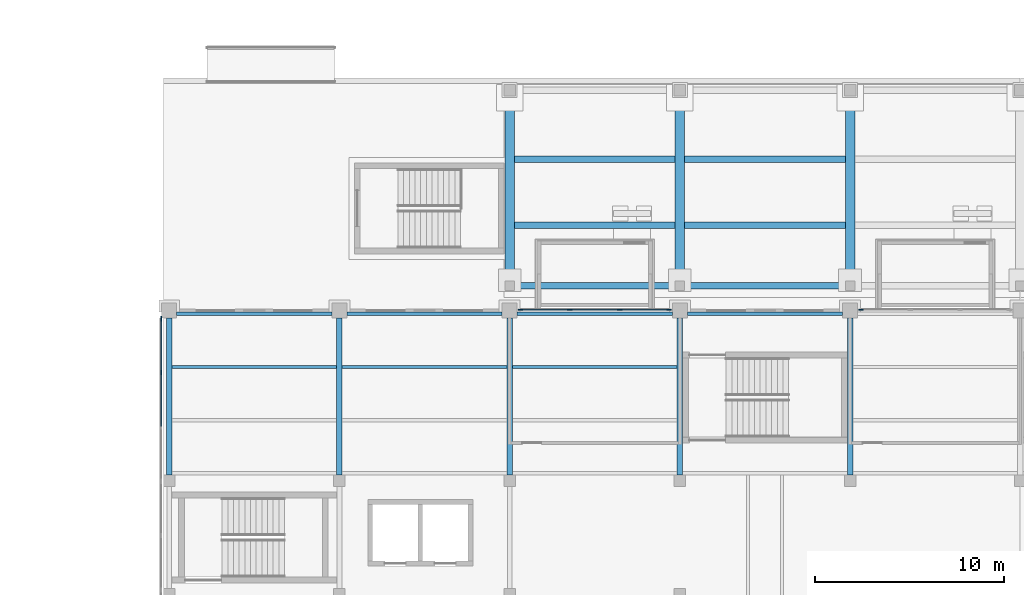
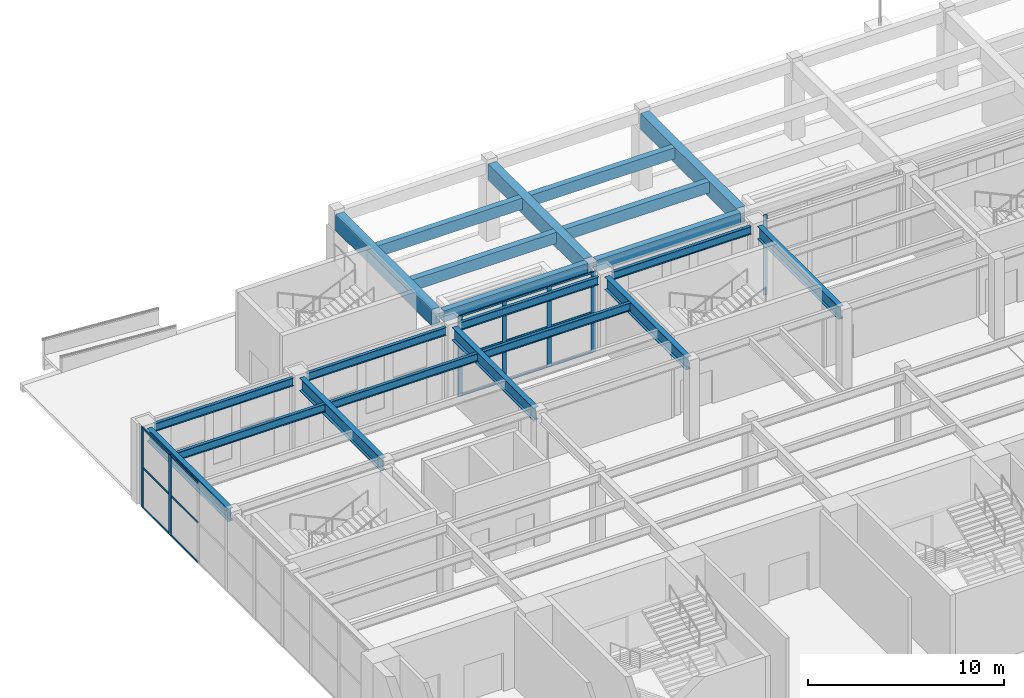
# One storey, part 22 of 77: 22 members, 21 beams, 3 elements without a shape of their own.
"""IFC4 building model written with IfcOpenShell, lengths in metres."""

from ifc_helpers import new_model, si_unit, direction, frame, origin, origin_2d, place, context, subcontext, project, spatial, rectangle, i_section, extrude, material, material_profile, profile_set, type_object, element, aggregate, save


model = new_model("IFC4")

# Units and contexts
model_context = context("Model", 3, precision=1e-05, world=origin(), true_north=direction((0.0, 1.0)))
body_context = subcontext(model_context, "Body", "Model", "MODEL_VIEW")
ifc_project = project(units=[si_unit("LENGTHUNIT", "METRE"), si_unit("AREAUNIT", "SQUARE_METRE"), si_unit("VOLUMEUNIT", "CUBIC_METRE"), si_unit("PLANEANGLEUNIT", "RADIAN"), si_unit("MASSUNIT", "GRAM", prefix="KILO")], contexts=[model_context])

# Site, building, storey
site_placement = place(None, origin())
site = spatial("IfcSite", under=ifc_project, at=site_placement, CompositionType="ELEMENT")
building_placement = place(site_placement, origin())
building = spatial("IfcBuilding", under=site, at=building_placement, Name="Aravalli Gate Trade Fair Centre", CompositionType="ELEMENT")
storey_placement = place(building_placement, origin())
storey = spatial("IfcBuildingStorey", under=building, at=storey_placement, Name="L00", CompositionType="ELEMENT", Elevation=0.0)

# Beams
ifc_material_1 = material(Name="Concrete M40", Category="concrete")
ifc_material_profile_1 = material_profile(ifc_material_1, rectangle(XDim=0.5, YDim=1.0, at=origin_2d()), Name="Arcade cross beam 500 x 1000")
ifc_profile_set_1 = profile_set([ifc_material_profile_1], Name="Concrete M40")
beam_type_1 = type_object("IfcBeamType", Name="Arcade cross beam 500 x 1000", PredefinedType="BEAM", material=ifc_profile_set_1)
for number, where, z_axis, x_axis, name in (
    (1, (24.0, 134.550048828125, 4.25), (0.0, 1.0, 0.0), (-1.0, 0.0, 0.0), "Arcade cross beam 03"),
    (2, (33.0, 134.550048828125, 4.25), (0.0, 1.0, 0.0), (-1.0, 0.0, 0.0), "Arcade cross beam 04"),
    (3, (42.0, 134.550048828125, 4.25), (0.0, 1.0, 0.0), (-1.0, 0.0, 0.0), "Arcade cross beam 05"),
):
    element("IfcBeam", number, at=place(storey_placement, frame(where, z_axis=z_axis, x_axis=x_axis)), inside=storey, type_object=beam_type_1, Name=name, PredefinedType="BEAM", context=body_context, shape_type="SweptSolid", body=[
        extrude(rectangle(XDim=0.5, YDim=1.0, at=origin_2d()), origin(), (0.0, 0.0, 1.0), 9.800048828125),
    ])
ifc_material_profile_2 = material_profile(ifc_material_1, rectangle(XDim=0.35009765625, YDim=0.699951171875, at=origin_2d()), Name="Arcade terrace beam 350 x 700")
ifc_profile_set_2 = profile_set([ifc_material_profile_2], Name="Concrete M40")
beam_type_2 = type_object("IfcBeamType", Name="Arcade terrace beam 350 x 700", PredefinedType="BEAM", material=ifc_profile_set_2)
for number, where, z_axis, x_axis, name in (
    (4, (24.25, 134.300048828125, 4.39990234375), (1.0, 0.0, 0.0), (0.0, 1.0, 0.0), "Arcade terrace beam 1.03-04"),
    (5, (24.25, 137.5, 4.39990234375), (1.0, 0.0, 0.0), (0.0, 1.0, 0.0), "Arcade terrace beam 2.03-04"),
    (6, (24.25, 141.0, 4.39990234375), (1.0, 0.0, 0.0), (0.0, 1.0, 0.0), "Arcade terrace beam 3.03-04"),
    (7, (33.25, 134.300048828125, 4.39990234375), (1.0, 0.0, 0.0), (0.0, 1.0, 0.0), "Arcade terrace beam 1.04-05"),
    (8, (33.25, 137.5, 4.39990234375), (1.0, 0.0, 0.0), (0.0, 1.0, 0.0), "Arcade terrace beam 2.04-05"),
    (9, (33.25, 141.0, 4.39990234375), (1.0, 0.0, 0.0), (0.0, 1.0, 0.0), "Arcade terrace beam 3.04-05"),
):
    element("IfcBeam", number, at=place(storey_placement, frame(where, z_axis=z_axis, x_axis=x_axis)), inside=storey, type_object=beam_type_2, Name=name, PredefinedType="BEAM", context=body_context, shape_type="SweptSolid", body=[
        extrude(rectangle(XDim=0.35009765625, YDim=0.699951171875, at=origin_2d()), origin(), (0.0, 0.0, 1.0), 8.5),
    ])

# Curtain wall, members
ifc_material_2 = material(Name="Aluminium and glass", Category="aluminium")
curtain_wall_type = type_object("IfcCurtainWallType", Name="Curtain wall 3000 module, tall", PredefinedType="NOTDEFINED", material=ifc_material_2)
curtain_wall_1_placement = place(storey_placement, origin())
curtain_wall_1 = element("IfcCurtainWall", 10, at=curtain_wall_1_placement, inside=storey, type_object=curtain_wall_type, Name="Curtain wall north bay 3 L00", PredefinedType="NOTDEFINED")
ifc_material_3 = material(Name="Aluminium", Category="aluminium")
ifc_material_profile_3 = material_profile(ifc_material_3, rectangle(XDim=0.06005859375, YDim=0.25, at=origin_2d()), Name="Concourse curtain wall mullion 60 x 250")
ifc_profile_set_3 = profile_set([ifc_material_profile_3], Name="Aluminium")
member_type_1 = type_object("IfcMemberType", Name="Concourse curtain wall mullion 60 x 250", PredefinedType="MULLION", material=ifc_profile_set_3)
member_1_placement = place(storey_placement, frame((24.580078125, 133.044921875, 0.0), z_axis=(0.0, 0.0, 1.0), x_axis=(0.0, 1.0, 0.0)))
member_1 = element("IfcMember", 11, at=member_1_placement, type_object=member_type_1, Name="CW3 mullion 1", PredefinedType="MULLION", context=body_context, shape_type="SweptSolid", body=[
    extrude(rectangle(XDim=0.06005859375, YDim=0.25, at=origin_2d()), origin(), (0.0, 0.0, 1.0), 5.0),
])
member_2_placement = place(storey_placement, frame((27.183349609375, 133.044921875, 0.0), z_axis=(0.0, 0.0, 1.0), x_axis=(0.0, 1.0, 0.0)))
member_2 = element("IfcMember", 12, at=member_2_placement, type_object=member_type_1, Name="CW3 mullion 2", PredefinedType="MULLION", context=body_context, shape_type="SweptSolid", body=[
    extrude(rectangle(XDim=0.06005859375, YDim=0.25, at=origin_2d()), origin(), (0.0, 0.0, 1.0), 5.0),
])
member_3_placement = place(storey_placement, frame((29.816650390625, 133.044921875, 0.0), z_axis=(0.0, 0.0, 1.0), x_axis=(0.0, 1.0, 0.0)))
member_3 = element("IfcMember", 13, at=member_3_placement, type_object=member_type_1, Name="CW3 mullion 3", PredefinedType="MULLION", context=body_context, shape_type="SweptSolid", body=[
    extrude(rectangle(XDim=0.06005859375, YDim=0.25, at=origin_2d()), origin(), (0.0, 0.0, 1.0), 5.0),
])
member_4_placement = place(storey_placement, frame((32.419921875, 133.044921875, 0.0), z_axis=(0.0, 0.0, 1.0), x_axis=(0.0, 1.0, 0.0)))
member_4 = element("IfcMember", 14, at=member_4_placement, type_object=member_type_1, Name="CW3 mullion 4", PredefinedType="MULLION", context=body_context, shape_type="SweptSolid", body=[
    extrude(rectangle(XDim=0.06005859375, YDim=0.25, at=origin_2d()), origin(), (0.0, 0.0, 1.0), 5.0),
])

# Curtain wall, member
curtain_wall_2_placement = place(storey_placement, origin())
curtain_wall_2 = element("IfcCurtainWall", 15, at=curtain_wall_2_placement, inside=storey, type_object=curtain_wall_type, Name="Curtain wall north bay 5 L00", PredefinedType="NOTDEFINED")
member_5_placement = place(storey_placement, frame((42.580078125, 133.044921875, 0.0), z_axis=(0.0, 0.0, 1.0), x_axis=(0.0, 1.0, 0.0)))
member_5 = element("IfcMember", 16, at=member_5_placement, type_object=member_type_1, Name="CW3 mullion 1", PredefinedType="MULLION", context=body_context, shape_type="SweptSolid", body=[
    extrude(rectangle(XDim=0.06005859375, YDim=0.25, at=origin_2d()), origin(), (0.0, 0.0, 1.0), 5.0),
])
aggregate(curtain_wall_2, [member_5])

# Curtain wall, members
curtain_wall_3_placement = place(storey_placement, origin())
curtain_wall_3 = element("IfcCurtainWall", 17, at=curtain_wall_3_placement, inside=storey, type_object=curtain_wall_type, Name="Curtain wall west end L00", PredefinedType="NOTDEFINED")
member_6_placement = place(storey_placement, frame((5.574951171875, 129.72509765625, 0.0), z_axis=(0.0, 0.0, 1.0), x_axis=(-1.0, 0.0, 0.0)))
member_6 = element("IfcMember", 18, at=member_6_placement, type_object=member_type_1, Name="CW3 mullion 8", PredefinedType="MULLION", context=body_context, shape_type="SweptSolid", body=[
    extrude(rectangle(XDim=0.06005859375, YDim=0.25, at=origin_2d()), origin(), (0.0, 0.0, 1.0), 5.0),
])
member_7_placement = place(storey_placement, frame((5.574951171875, 132.570068359375, 0.0), z_axis=(0.0, 0.0, 1.0), x_axis=(-1.0, 0.0, 0.0)))
member_7 = element("IfcMember", 19, at=member_7_placement, type_object=member_type_1, Name="CW3 mullion 9", PredefinedType="MULLION", context=body_context, shape_type="SweptSolid", body=[
    extrude(rectangle(XDim=0.06005859375, YDim=0.25, at=origin_2d()), origin(), (0.0, 0.0, 1.0), 5.0),
])

# Member
ifc_material_profile_4 = material_profile(ifc_material_3, rectangle(XDim=0.06005859375, YDim=0.1201171875, at=origin_2d()), Name="Concourse curtain wall transom 60 x 120")
ifc_profile_set_4 = profile_set([ifc_material_profile_4], Name="Aluminium")
member_type_2 = type_object("IfcMemberType", Name="Concourse curtain wall transom 60 x 120", PredefinedType="USERDEFINED", material=ifc_profile_set_4)
member_8_placement = place(storey_placement, frame((24.610107421875, 133.044921875, 0.030029296875), z_axis=(1.0, 0.0, 0.0), x_axis=(0.0, 1.0, 0.0)))
member_8 = element("IfcMember", 20, at=member_8_placement, type_object=member_type_2, Name="CW3 transom 1.1", ObjectType="TRANSOM", PredefinedType="USERDEFINED", context=body_context, shape_type="SweptSolid", body=[
    extrude(rectangle(XDim=0.06005859375, YDim=0.1201171875, at=origin_2d()), origin(), (0.0, 0.0, 1.0), 2.543212890625),
])

member_9_placement = place(storey_placement, frame((24.610107421875, 133.044921875, 2.5), z_axis=(1.0, 0.0, 0.0), x_axis=(0.0, 1.0, 0.0)))
member_9 = element("IfcMember", 21, at=member_9_placement, type_object=member_type_2, Name="CW3 transom 1.2", ObjectType="TRANSOM", PredefinedType="USERDEFINED", context=body_context, shape_type="SweptSolid", body=[
    extrude(rectangle(XDim=0.06005859375, YDim=0.1201171875, at=origin_2d()), origin(), (0.0, 0.0, 1.0), 2.543212890625),
])

member_10_placement = place(storey_placement, frame((24.610107421875, 133.044921875, 4.969970703125), z_axis=(1.0, 0.0, 0.0), x_axis=(0.0, 1.0, 0.0)))
member_10 = element("IfcMember", 22, at=member_10_placement, type_object=member_type_2, Name="CW3 transom 1.3", ObjectType="TRANSOM", PredefinedType="USERDEFINED", context=body_context, shape_type="SweptSolid", body=[
    extrude(rectangle(XDim=0.06005859375, YDim=0.1201171875, at=origin_2d()), origin(), (0.0, 0.0, 1.0), 2.543212890625),
])

member_11_placement = place(storey_placement, frame((27.21337890625, 133.044921875, 0.030029296875), z_axis=(1.0, 0.0, 0.0), x_axis=(0.0, 1.0, 0.0)))
member_11 = element("IfcMember", 23, at=member_11_placement, type_object=member_type_2, Name="CW3 transom 2.1", ObjectType="TRANSOM", PredefinedType="USERDEFINED", context=body_context, shape_type="SweptSolid", body=[
    extrude(rectangle(XDim=0.06005859375, YDim=0.1201171875, at=origin_2d()), origin(), (0.0, 0.0, 1.0), 2.5732421875),
])

member_12_placement = place(storey_placement, frame((27.21337890625, 133.044921875, 2.5), z_axis=(1.0, 0.0, 0.0), x_axis=(0.0, 1.0, 0.0)))
member_12 = element("IfcMember", 24, at=member_12_placement, type_object=member_type_2, Name="CW3 transom 2.2", ObjectType="TRANSOM", PredefinedType="USERDEFINED", context=body_context, shape_type="SweptSolid", body=[
    extrude(rectangle(XDim=0.06005859375, YDim=0.1201171875, at=origin_2d()), origin(), (0.0, 0.0, 1.0), 2.5732421875),
])

member_13_placement = place(storey_placement, frame((27.21337890625, 133.044921875, 4.969970703125), z_axis=(1.0, 0.0, 0.0), x_axis=(0.0, 1.0, 0.0)))
member_13 = element("IfcMember", 25, at=member_13_placement, type_object=member_type_2, Name="CW3 transom 2.3", ObjectType="TRANSOM", PredefinedType="USERDEFINED", context=body_context, shape_type="SweptSolid", body=[
    extrude(rectangle(XDim=0.06005859375, YDim=0.1201171875, at=origin_2d()), origin(), (0.0, 0.0, 1.0), 2.5732421875),
])

member_14_placement = place(storey_placement, frame((29.8466796875, 133.044921875, 0.030029296875), z_axis=(1.0, 0.0, 0.0), x_axis=(0.0, 1.0, 0.0)))
member_14 = element("IfcMember", 26, at=member_14_placement, type_object=member_type_2, Name="CW3 transom 3.1", ObjectType="TRANSOM", PredefinedType="USERDEFINED", context=body_context, shape_type="SweptSolid", body=[
    extrude(rectangle(XDim=0.06005859375, YDim=0.1201171875, at=origin_2d()), origin(), (0.0, 0.0, 1.0), 2.543212890625),
])

member_15_placement = place(storey_placement, frame((29.8466796875, 133.044921875, 2.5), z_axis=(1.0, 0.0, 0.0), x_axis=(0.0, 1.0, 0.0)))
member_15 = element("IfcMember", 27, at=member_15_placement, type_object=member_type_2, Name="CW3 transom 3.2", ObjectType="TRANSOM", PredefinedType="USERDEFINED", context=body_context, shape_type="SweptSolid", body=[
    extrude(rectangle(XDim=0.06005859375, YDim=0.1201171875, at=origin_2d()), origin(), (0.0, 0.0, 1.0), 2.543212890625),
])

member_16_placement = place(storey_placement, frame((29.8466796875, 133.044921875, 4.969970703125), z_axis=(1.0, 0.0, 0.0), x_axis=(0.0, 1.0, 0.0)))
member_16 = element("IfcMember", 28, at=member_16_placement, type_object=member_type_2, Name="CW3 transom 3.3", ObjectType="TRANSOM", PredefinedType="USERDEFINED", context=body_context, shape_type="SweptSolid", body=[
    extrude(rectangle(XDim=0.06005859375, YDim=0.1201171875, at=origin_2d()), origin(), (0.0, 0.0, 1.0), 2.543212890625),
])

aggregate(curtain_wall_1, [member_1, member_2, member_3, member_4, member_8, member_9, member_10, member_11, member_12, member_13, member_14, member_15, member_16])

member_17_placement = place(storey_placement, frame((5.574951171875, 126.8798828125, 0.030029296875), z_axis=(0.0, 1.0, 0.0), x_axis=(-1.0, 0.0, 0.0)))
member_17 = element("IfcMember", 29, at=member_17_placement, type_object=member_type_2, Name="CW3 transom 7.1", ObjectType="TRANSOM", PredefinedType="USERDEFINED", context=body_context, shape_type="SweptSolid", body=[
    extrude(rectangle(XDim=0.06005859375, YDim=0.1201171875, at=origin_2d()), origin(), (0.0, 0.0, 1.0), 2.815185546875),
])

member_18_placement = place(storey_placement, frame((5.574951171875, 126.8798828125, 2.5), z_axis=(0.0, 1.0, 0.0), x_axis=(-1.0, 0.0, 0.0)))
member_18 = element("IfcMember", 30, at=member_18_placement, type_object=member_type_2, Name="CW3 transom 7.2", ObjectType="TRANSOM", PredefinedType="USERDEFINED", context=body_context, shape_type="SweptSolid", body=[
    extrude(rectangle(XDim=0.06005859375, YDim=0.1201171875, at=origin_2d()), origin(), (0.0, 0.0, 1.0), 2.815185546875),
])

member_19_placement = place(storey_placement, frame((5.574951171875, 126.8798828125, 4.969970703125), z_axis=(0.0, 1.0, 0.0), x_axis=(-1.0, 0.0, 0.0)))
member_19 = element("IfcMember", 31, at=member_19_placement, type_object=member_type_2, Name="CW3 transom 7.3", ObjectType="TRANSOM", PredefinedType="USERDEFINED", context=body_context, shape_type="SweptSolid", body=[
    extrude(rectangle(XDim=0.06005859375, YDim=0.1201171875, at=origin_2d()), origin(), (0.0, 0.0, 1.0), 2.815185546875),
])

member_20_placement = place(storey_placement, frame((5.574951171875, 129.7548828125, 0.030029296875), z_axis=(0.0, 1.0, 0.0), x_axis=(-1.0, 0.0, 0.0)))
member_20 = element("IfcMember", 32, at=member_20_placement, type_object=member_type_2, Name="CW3 transom 8.1", ObjectType="TRANSOM", PredefinedType="USERDEFINED", context=body_context, shape_type="SweptSolid", body=[
    extrude(rectangle(XDim=0.06005859375, YDim=0.1201171875, at=origin_2d()), origin(), (0.0, 0.0, 1.0), 2.78515625),
])

member_21_placement = place(storey_placement, frame((5.574951171875, 129.7548828125, 2.5), z_axis=(0.0, 1.0, 0.0), x_axis=(-1.0, 0.0, 0.0)))
member_21 = element("IfcMember", 33, at=member_21_placement, type_object=member_type_2, Name="CW3 transom 8.2", ObjectType="TRANSOM", PredefinedType="USERDEFINED", context=body_context, shape_type="SweptSolid", body=[
    extrude(rectangle(XDim=0.06005859375, YDim=0.1201171875, at=origin_2d()), origin(), (0.0, 0.0, 1.0), 2.78515625),
])

member_22_placement = place(storey_placement, frame((5.574951171875, 129.7548828125, 4.969970703125), z_axis=(0.0, 1.0, 0.0), x_axis=(-1.0, 0.0, 0.0)))
member_22 = element("IfcMember", 34, at=member_22_placement, type_object=member_type_2, Name="CW3 transom 8.3", ObjectType="TRANSOM", PredefinedType="USERDEFINED", context=body_context, shape_type="SweptSolid", body=[
    extrude(rectangle(XDim=0.06005859375, YDim=0.1201171875, at=origin_2d()), origin(), (0.0, 0.0, 1.0), 2.78515625),
])

aggregate(curtain_wall_3, [member_6, member_7, member_17, member_18, member_19, member_20, member_21, member_22])

# Beams
ifc_material_4 = material(Name="Steel E350", Category="steel")
ifc_material_profile_5 = material_profile(ifc_material_4, i_section(OverallWidth=0.179931640625, OverallDepth=0.5, WebThickness=0.01025390625, FlangeThickness=0.01708984375, at=origin_2d()), Name="ISMB 500")
ifc_profile_set_5 = profile_set([ifc_material_profile_5], Name="Steel E350")
beam_type_3 = type_object("IfcBeamType", Name="ISMB 500 gallery secondary beam", PredefinedType="JOIST", material=ifc_profile_set_5)
beam_1_placement = place(storey_placement, frame((6.14990234375, 130.0166015625, 4.550048828125), z_axis=(1.0, 0.0, 0.0), x_axis=(0.0, 1.0, 0.0)))
element("IfcBeam", 35, at=beam_1_placement, inside=storey, type_object=beam_type_3, Name="Gallery beam N6 01-02 L01", PredefinedType="JOIST", context=body_context, shape_type="SweptSolid", body=[
    extrude(i_section(OverallWidth=0.179931640625, OverallDepth=0.5, WebThickness=0.01025390625, FlangeThickness=0.01708984375, at=origin_2d()), origin(), (0.0, 0.0, 1.0), 8.7001953125),
])
beam_2_placement = place(storey_placement, frame((6.39990234375, 132.830078125, 4.550048828125), z_axis=(1.0, 0.0, 0.0), x_axis=(0.0, 1.0, 0.0)))
element("IfcBeam", 36, at=beam_2_placement, inside=storey, type_object=beam_type_3, Name="Gallery beam N7 01-02 L01", PredefinedType="JOIST", context=body_context, shape_type="SweptSolid", body=[
    extrude(i_section(OverallWidth=0.179931640625, OverallDepth=0.5, WebThickness=0.01025390625, FlangeThickness=0.01708984375, at=origin_2d()), origin(), (0.0, 0.0, 1.0), 8.2001953125),
])
beam_3_placement = place(storey_placement, frame((15.14990234375, 130.0166015625, 4.550048828125), z_axis=(1.0, 0.0, 0.0), x_axis=(0.0, 1.0, 0.0)))
element("IfcBeam", 37, at=beam_3_placement, inside=storey, type_object=beam_type_3, Name="Gallery beam N6 02-03 L01", PredefinedType="JOIST", context=body_context, shape_type="SweptSolid", body=[
    extrude(i_section(OverallWidth=0.179931640625, OverallDepth=0.5, WebThickness=0.01025390625, FlangeThickness=0.01708984375, at=origin_2d()), origin(), (0.0, 0.0, 1.0), 8.7001953125),
])
beam_4_placement = place(storey_placement, frame((15.39990234375, 132.830078125, 4.550048828125), z_axis=(1.0, 0.0, 0.0), x_axis=(0.0, 1.0, 0.0)))
element("IfcBeam", 38, at=beam_4_placement, inside=storey, type_object=beam_type_3, Name="Gallery beam N7 02-03 L01", PredefinedType="JOIST", context=body_context, shape_type="SweptSolid", body=[
    extrude(i_section(OverallWidth=0.179931640625, OverallDepth=0.5, WebThickness=0.01025390625, FlangeThickness=0.01708984375, at=origin_2d()), origin(), (0.0, 0.0, 1.0), 8.2001953125),
])
beam_5_placement = place(storey_placement, frame((24.14990234375, 130.0166015625, 4.550048828125), z_axis=(1.0, 0.0, 0.0), x_axis=(0.0, 1.0, 0.0)))
element("IfcBeam", 39, at=beam_5_placement, inside=storey, type_object=beam_type_3, Name="Gallery beam N6 03-04 L01", PredefinedType="JOIST", context=body_context, shape_type="SweptSolid", body=[
    extrude(i_section(OverallWidth=0.179931640625, OverallDepth=0.5, WebThickness=0.01025390625, FlangeThickness=0.01708984375, at=origin_2d()), origin(), (0.0, 0.0, 1.0), 8.7001953125),
])
for number, where, z_axis, x_axis, name in (
    (40, (24.39990234375, 132.830078125, 4.550048828125), (1.0, 0.0, 0.0), (0.0, 1.0, 0.0), "Gallery beam N7 03-04 L01"),
    (41, (33.39990234375, 132.830078125, 4.550048828125), (1.0, 0.0, 0.0), (0.0, 1.0, 0.0), "Gallery beam N7 04-05 L01"),
):
    element("IfcBeam", number, at=place(storey_placement, frame(where, z_axis=z_axis, x_axis=x_axis)), inside=storey, type_object=beam_type_3, Name=name, PredefinedType="JOIST", context=body_context, shape_type="SweptSolid", body=[
        extrude(i_section(OverallWidth=0.179931640625, OverallDepth=0.5, WebThickness=0.01025390625, FlangeThickness=0.01708984375, at=origin_2d()), origin(), (0.0, 0.0, 1.0), 8.2001953125),
    ])
ifc_material_profile_6 = material_profile(ifc_material_4, i_section(OverallWidth=0.300048828125, OverallDepth=0.800048828125, WebThickness=0.011962890625, FlangeThickness=0.02490234375, at=origin_2d()), Name="PG 800x300x12x25")
ifc_profile_set_6 = profile_set([ifc_material_profile_6], Name="Steel E350")
beam_type_4 = type_object("IfcBeamType", Name="PG 800x300x12x25 gallery plate girder", PredefinedType="BEAM", material=ifc_profile_set_6)
for number, where, z_axis, x_axis, name in (
    (42, (6.0, 124.300048828125, 4.39990234375), (0.0, 1.0, 0.0), (-1.0, 0.0, 0.0), "Gallery girder N01 L01"),
    (43, (15.0, 124.300048828125, 4.39990234375), (0.0, 1.0, 0.0), (-1.0, 0.0, 0.0), "Gallery girder N02 L01"),
    (44, (24.0, 124.300048828125, 4.39990234375), (0.0, 1.0, 0.0), (-1.0, 0.0, 0.0), "Gallery girder N03 L01"),
    (45, (33.0, 124.300048828125, 4.39990234375), (0.0, 1.0, 0.0), (-1.0, 0.0, 0.0), "Gallery girder N04 L01"),
    (46, (42.0, 124.300048828125, 4.39990234375), (0.0, 1.0, 0.0), (-1.0, 0.0, 0.0), "Gallery girder N05 L01"),
):
    element("IfcBeam", number, at=place(storey_placement, frame(where, z_axis=z_axis, x_axis=x_axis)), inside=storey, type_object=beam_type_4, Name=name, PredefinedType="BEAM", context=body_context, shape_type="SweptSolid", body=[
        extrude(i_section(OverallWidth=0.300048828125, OverallDepth=0.800048828125, WebThickness=0.011962890625, FlangeThickness=0.02490234375, at=origin_2d()), origin(), (0.0, 0.0, 1.0), 8.300048828125),
    ])

save(model, "model.ifc")
